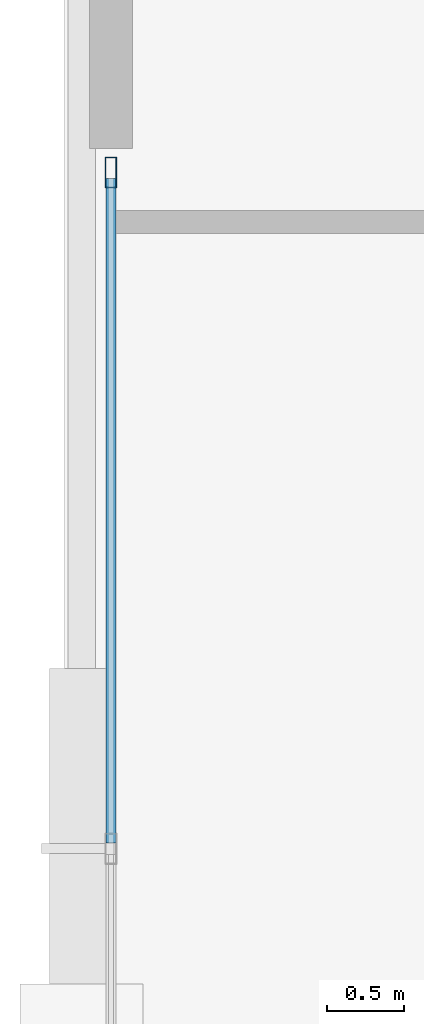
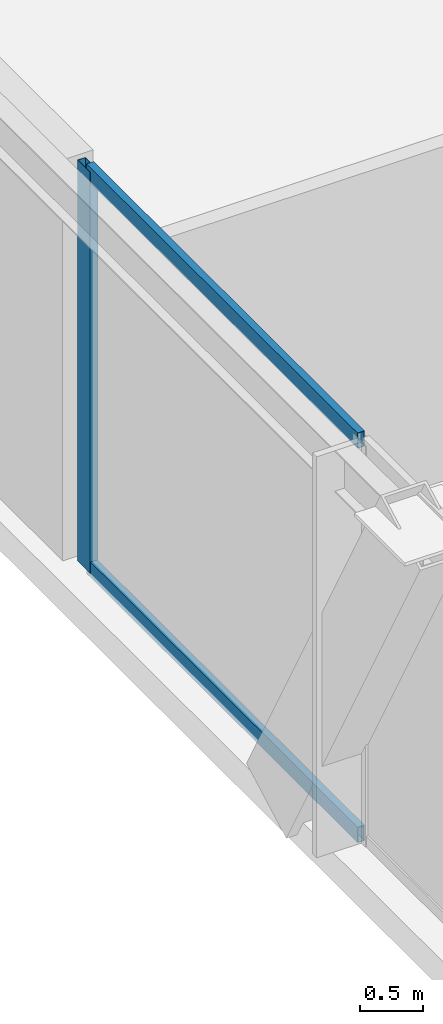
# One storey, part 22 of 46: 3 members, 1 element without a shape of its own.
"""IFC4 building model written with IfcOpenShell, lengths in metres."""

from ifc_helpers import new_model, si_unit, direction, frame, origin, origin_2d, place, context, subcontext, project, spatial, hollow_rectangle, extrude, material, layer, layer_set, material_profile, profile_set, type_object, element, aggregate, save


model = new_model("IFC4")

# Units and contexts
model_context = context("Model", 3, precision=1e-05, world=origin(), true_north=direction((0.0, 1.0)))
body_context = subcontext(model_context, "Body", "Model", "MODEL_VIEW")
ifc_project = project(units=[si_unit("LENGTHUNIT", "METRE"), si_unit("AREAUNIT", "SQUARE_METRE"), si_unit("VOLUMEUNIT", "CUBIC_METRE"), si_unit("PLANEANGLEUNIT", "RADIAN"), si_unit("MASSUNIT", "GRAM", prefix="KILO")], contexts=[model_context])

# Site, building, storey
site_placement = place(None, origin())
site = spatial("IfcSite", under=ifc_project, at=site_placement, CompositionType="ELEMENT")
building_placement = place(site_placement, origin())
building = spatial("IfcBuilding", under=site, at=building_placement, Name="Orvanel Arch Residences", CompositionType="ELEMENT")
storey_placement = place(building_placement, frame((0.0, 0.0, 14.10009765625)))
storey = spatial("IfcBuildingStorey", under=building, at=storey_placement, Name="L03", CompositionType="ELEMENT", Elevation=14.10009765625)

# Curtain wall, members
ifc_material = material(Name="Bronze-anodised aluminium AA6063-T6", Category="aluminium")
ifc_layer = layer(ifc_material, 0.199951171875)
ifc_layer_set = layer_set([ifc_layer], Name="Bronze-anodised aluminium AA6063-T6")
curtain_wall_type = type_object("IfcCurtainWallType", Name="CW1-POD-SYS", PredefinedType="NOTDEFINED", material=ifc_layer_set)
curtain_wall_placement = place(storey_placement, origin())
curtain_wall = element("IfcCurtainWall", 1, at=curtain_wall_placement, inside=storey, type_object=curtain_wall_type, Name="L03 CW1-POD-SYS Unitised Curtain Wall", PredefinedType="NOTDEFINED")
ifc_material_profile_1 = material_profile(ifc_material, hollow_rectangle(XDim=0.074951171875, YDim=0.199951171875, WallThickness=0.0048828125, at=origin_2d()), Name="ALU200x75x5")
ifc_profile_set_1 = profile_set([ifc_material_profile_1], Name="Bronze-anodised aluminium AA6063-T6")
member_type_1 = type_object("IfcMemberType", Name="MUL-200x75", PredefinedType="MULLION", material=ifc_profile_set_1)
member_1_placement = place(storey_placement, frame((1.550048828125, 36.322509765625, 0.0), z_axis=(0.0, 0.0, 1.0), x_axis=(1.0, 0.0, 0.0)))
member_1 = element("IfcMember", 2, at=member_1_placement, type_object=member_type_1, Name="CW-S1 mullion 1", PredefinedType="MULLION", context=body_context, shape_type="SweptSolid", body=[
    extrude(hollow_rectangle(XDim=0.074951171875, YDim=0.199951171875, WallThickness=0.0048828125, at=origin_2d()), origin(), (0.0, 0.0, 1.0), 3.89990234375),
])
ifc_material_profile_2 = material_profile(ifc_material, hollow_rectangle(XDim=0.06494140625, YDim=0.14990234375, WallThickness=0.00390625, at=origin_2d()), Name="ALU150x65x4")
ifc_profile_set_2 = profile_set([ifc_material_profile_2], Name="Bronze-anodised aluminium AA6063-T6")
member_type_2 = type_object("IfcMemberType", Name="TRN-150x65", PredefinedType="USERDEFINED", material=ifc_profile_set_2)
member_2_placement = place(storey_placement, frame((1.550048828125, 36.284912109375, 0.032470703125), z_axis=(0.0, -1.0, 0.0), x_axis=(1.0, 0.0, 0.0)))
member_2 = element("IfcMember", 3, at=member_2_placement, type_object=member_type_2, Name="CW-S1 transom 1.1", ObjectType="TRANSOM", PredefinedType="USERDEFINED", context=body_context, shape_type="SweptSolid", body=[
    extrude(hollow_rectangle(XDim=0.06494140625, YDim=0.14990234375, WallThickness=0.00390625, at=origin_2d()), origin(), (0.0, 0.0, 1.0), 4.3173828125),
])
member_3_placement = place(storey_placement, frame((1.550048828125, 36.284912109375, 3.867431640625), z_axis=(0.0, -1.0, 0.0), x_axis=(1.0, 0.0, 0.0)))
member_3 = element("IfcMember", 4, at=member_3_placement, type_object=member_type_2, Name="CW-S1 transom 1.2", ObjectType="TRANSOM", PredefinedType="USERDEFINED", context=body_context, shape_type="SweptSolid", body=[
    extrude(hollow_rectangle(XDim=0.06494140625, YDim=0.14990234375, WallThickness=0.00390625, at=origin_2d()), origin(), (0.0, 0.0, 1.0), 4.3173828125),
])
aggregate(curtain_wall, [member_1, member_2, member_3])

save(model, "model.ifc")
